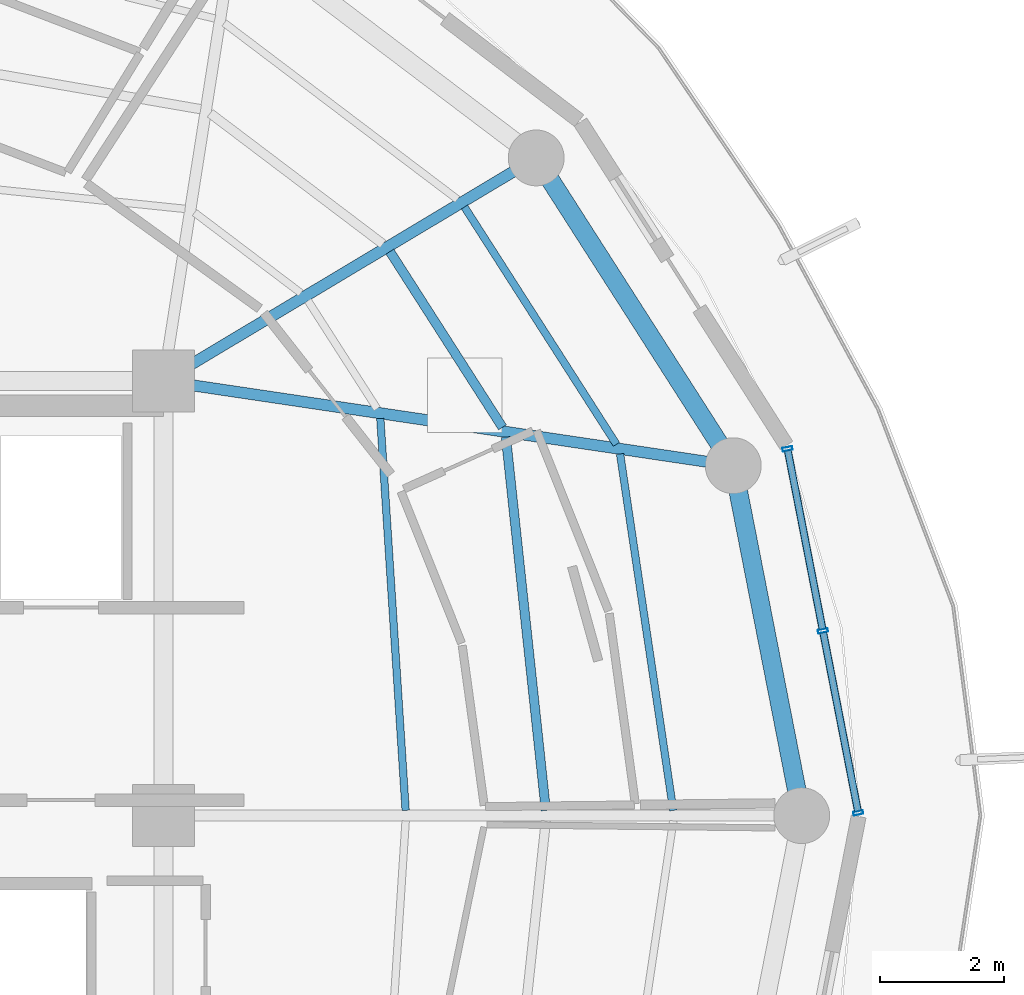
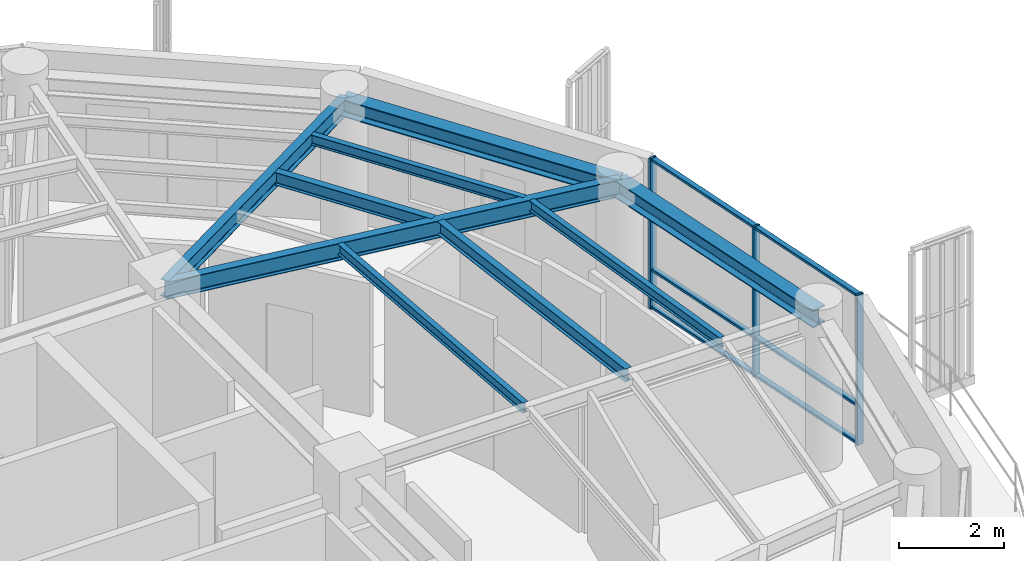
# One storey, part 10 of 22: 9 beams, 9 members, 1 element without a shape of its own.
"""IFC4 building model written with IfcOpenShell, lengths in metres."""

from ifc_helpers import new_model, si_unit, direction, frame, origin, origin_2d, place, context, subcontext, project, spatial, hollow_rectangle, i_section, extrude, material, layer, layer_set, material_profile, profile_set, type_object, element, aggregate, save


model = new_model("IFC4")

# Units and contexts
model_context = context("Model", 3, precision=1e-05, world=origin(), true_north=direction((0.0, 1.0)))
body_context = subcontext(model_context, "Body", "Model", "MODEL_VIEW")
ifc_project = project(units=[si_unit("LENGTHUNIT", "METRE"), si_unit("AREAUNIT", "SQUARE_METRE"), si_unit("VOLUMEUNIT", "CUBIC_METRE"), si_unit("PLANEANGLEUNIT", "RADIAN"), si_unit("MASSUNIT", "GRAM", prefix="KILO")], contexts=[model_context])

# Site, building, storey
site_placement = place(None, origin())
site = spatial("IfcSite", under=ifc_project, at=site_placement, CompositionType="ELEMENT")
building_placement = place(site_placement, origin())
building = spatial("IfcBuilding", under=site, at=building_placement, Name="Kelanora Arch Commons", CompositionType="ELEMENT")
storey_placement = place(building_placement, frame((0.0, 0.0, 271.199951171875)))
storey = spatial("IfcBuildingStorey", under=building, at=storey_placement, Name="L69", CompositionType="ELEMENT", Elevation=271.199951171875)

# Beams
ifc_material_1 = material(Name="Steel S355", Category="steel")
ifc_material_profile_1 = material_profile(ifc_material_1, i_section(OverallWidth=0.14990234375, OverallDepth=0.300048828125, WebThickness=0.007080078125, FlangeThickness=0.0107421875, FilletRadius=0.014892578125, at=origin_2d()), Name="IPE300")
ifc_profile_set_1 = profile_set([ifc_material_profile_1], Name="Steel S355")
beam_type_1 = type_object("IfcBeamType", Name="BM-JST-01", PredefinedType="JOIST", material=ifc_profile_set_1)
beam_1_placement = place(storey_placement, frame((88.158935546875, 58.08447265625, 3.340087890625), z_axis=(-0.106380594087, 0.994325484538, 0.0), x_axis=(-0.994325484538, -0.106380594087, 0.0)))
element("IfcBeam", 1, at=beam_1_placement, inside=storey, type_object=beam_type_1, Name="Secondary Chord Joist BJB-00 L69", PredefinedType="JOIST", context=body_context, shape_type="SweptSolid", body=[
    extrude(i_section(OverallWidth=0.14990234375, OverallDepth=0.300048828125, WebThickness=0.007080078125, FlangeThickness=0.0107421875, FilletRadius=0.014892578125, at=origin_2d()), origin(), (0.0, 0.0, 1.0), 6.04736328125),
])
beam_2_placement = place(storey_placement, frame((87.460693359375, 64.25341796875, 3.340087890625), z_axis=(-0.539321586177, 0.842099891155, 0.0), x_axis=(-0.842099891155, -0.539321586177, 0.0)))
element("IfcBeam", 2, at=beam_2_placement, inside=storey, type_object=beam_type_1, Name="Secondary Chord Joist BJB-02 L69", PredefinedType="JOIST", context=body_context, shape_type="SweptSolid", body=[
    extrude(i_section(OverallWidth=0.14990234375, OverallDepth=0.300048828125, WebThickness=0.007080078125, FlangeThickness=0.0107421875, FilletRadius=0.014892578125, at=origin_2d()), origin(), (0.0, 0.0, 1.0), 3.361572265625),
])
ifc_material_profile_2 = material_profile(ifc_material_1, i_section(OverallWidth=0.1201171875, OverallDepth=0.239990234375, WebThickness=0.006103515625, FlangeThickness=0.009765625, FilletRadius=0.014892578125, at=origin_2d()), Name="IPE240")
ifc_profile_set_2 = profile_set([ifc_material_profile_2], Name="Steel S355")
beam_type_2 = type_object("IfcBeamType", Name="BM-JST-02", PredefinedType="JOIST", material=ifc_profile_set_2)
beam_3_placement = place(storey_placement, frame((85.90087890625, 58.084716796875, 3.3701171875), z_axis=(-0.064495107978, 0.99791802321, 0.0), x_axis=(-0.99791802321, -0.064495107978, 0.0)))
element("IfcBeam", 3, at=beam_3_placement, inside=storey, type_object=beam_type_2, Name="Secondary Chord Joist BJA-00 L69", PredefinedType="JOIST", context=body_context, shape_type="SweptSolid", body=[
    extrude(i_section(OverallWidth=0.1201171875, OverallDepth=0.239990234375, WebThickness=0.006103515625, FlangeThickness=0.009765625, FilletRadius=0.014892578125, at=origin_2d()), origin(), (0.0, 0.0, 1.0), 6.325439453125),
])
beam_4_placement = place(storey_placement, frame((90.21142578125, 58.083984375, 3.3701171875), z_axis=(-0.14762470282, 0.989043450571, 0.0), x_axis=(-0.989043450571, -0.14762470282, 0.0)))
element("IfcBeam", 4, at=beam_4_placement, inside=storey, type_object=beam_type_2, Name="Secondary Chord Joist BJC-00 L69", PredefinedType="JOIST", context=body_context, shape_type="SweptSolid", body=[
    extrude(i_section(OverallWidth=0.1201171875, OverallDepth=0.239990234375, WebThickness=0.006103515625, FlangeThickness=0.009765625, FilletRadius=0.014892578125, at=origin_2d()), origin(), (0.0, 0.0, 1.0), 5.804931640625),
])
beam_5_placement = place(storey_placement, frame((89.296142578125, 63.980712890625, 3.3701171875), z_axis=(-0.539288735289, 0.842120929552, 0.0), x_axis=(-0.842120929552, -0.539288735289, 0.0)))
element("IfcBeam", 5, at=beam_5_placement, inside=storey, type_object=beam_type_2, Name="Secondary Chord Joist BJC-02 L69", PredefinedType="JOIST", context=body_context, shape_type="SweptSolid", body=[
    extrude(i_section(OverallWidth=0.1201171875, OverallDepth=0.239990234375, WebThickness=0.006103515625, FlangeThickness=0.009765625, FilletRadius=0.014892578125, at=origin_2d()), origin(), (0.0, 0.0, 1.0), 4.538818359375),
])
ifc_material_profile_3 = material_profile(ifc_material_1, i_section(OverallWidth=0.179931640625, OverallDepth=0.39990234375, WebThickness=0.008544921875, FlangeThickness=0.013427734375, FilletRadius=0.02099609375, at=origin_2d()), Name="IPE400")
ifc_profile_set_3 = profile_set([ifc_material_profile_3], Name="Steel S355")
beam_type_3 = type_object("IfcBeamType", Name="BM-RAD-Z5", PredefinedType="BEAM", material=ifc_profile_set_3)
beam_6_placement = place(storey_placement, frame((82.0, 65.0, 3.2900390625), z_axis=(0.989142485564, -0.146959665395, 0.0), x_axis=(0.146959665395, 0.989142485564, 0.0)))
element("IfcBeam", 6, at=beam_6_placement, inside=storey, type_object=beam_type_3, Name="Radial Floor Girder BR-02 L69", PredefinedType="BEAM", context=body_context, shape_type="SweptSolid", body=[
    extrude(i_section(OverallWidth=0.179931640625, OverallDepth=0.39990234375, WebThickness=0.008544921875, FlangeThickness=0.013427734375, FilletRadius=0.02099609375, at=origin_2d()), origin(), (0.0, 0.0, 1.0), 9.2783203125),
])
beam_7_placement = place(storey_placement, frame((82.0, 65.0, 3.2900390625), z_axis=(0.858062005744, 0.513546097541, 0.0), x_axis=(-0.513546097541, 0.858062005744, 0.0)))
element("IfcBeam", 7, at=beam_7_placement, inside=storey, type_object=beam_type_3, Name="Radial Floor Girder BR-04 L69", PredefinedType="BEAM", context=body_context, shape_type="SweptSolid", body=[
    extrude(i_section(OverallWidth=0.179931640625, OverallDepth=0.39990234375, WebThickness=0.008544921875, FlangeThickness=0.013427734375, FilletRadius=0.02099609375, at=origin_2d()), origin(), (0.0, 0.0, 1.0), 6.99658203125),
])
ifc_material_profile_4 = material_profile(ifc_material_1, i_section(OverallWidth=0.300048828125, OverallDepth=0.39990234375, WebThickness=0.013427734375, FlangeThickness=0.02392578125, FilletRadius=0.027099609375, at=origin_2d()), Name="HEB400")
ifc_profile_set_4 = profile_set([ifc_material_profile_4], Name="Steel S355")
beam_type_4 = type_object("IfcBeamType", Name="BM-SPN-Z4", PredefinedType="SPANDREL", material=ifc_profile_set_4)
beam_8_placement = place(storey_placement, frame((92.280029296875, 58.0, 3.2900390625), z_axis=(-0.191969774604, 0.981400838413, 0.0), x_axis=(-0.981400838413, -0.191969774604, 0.0)))
element("IfcBeam", 8, at=beam_8_placement, inside=storey, type_object=beam_type_4, Name="Perimeter Spandrel Beam BS-00 L69", PredefinedType="SPANDREL", context=body_context, shape_type="SweptSolid", body=[
    extrude(i_section(OverallWidth=0.300048828125, OverallDepth=0.39990234375, WebThickness=0.013427734375, FlangeThickness=0.02392578125, FilletRadius=0.027099609375, at=origin_2d()), origin(), (0.0, 0.0, 1.0), 5.743408203125),
])
beam_9_placement = place(storey_placement, frame((91.177490234375, 63.636474609375, 3.2900390625), z_axis=(-0.539280851353, 0.842125978322, 0.0), x_axis=(-0.842125978322, -0.539280851353, 0.0)))
element("IfcBeam", 9, at=beam_9_placement, inside=storey, type_object=beam_type_4, Name="Perimeter Spandrel Beam BS-02 L69", PredefinedType="SPANDREL", context=body_context, shape_type="SweptSolid", body=[
    extrude(i_section(OverallWidth=0.300048828125, OverallDepth=0.39990234375, WebThickness=0.013427734375, FlangeThickness=0.02392578125, FilletRadius=0.027099609375, at=origin_2d()), origin(), (0.0, 0.0, 1.0), 5.8857421875),
])

# Curtain wall, members
ifc_material_2 = material(Name="Terracotta ceramic-fritted low-E glass and aluminium", Category="masonry")
ifc_layer = layer(ifc_material_2, 0.18994140625)
ifc_layer_set = layer_set([ifc_layer], Name="Terracotta ceramic-fritted low-E glass and aluminium")
curtain_wall_type = type_object("IfcCurtainWallType", Name="CW-SYS-03", PredefinedType="NOTDEFINED", material=ifc_layer_set)
curtain_wall_placement = place(storey_placement, origin())
curtain_wall = element("IfcCurtainWall", 10, at=curtain_wall_placement, inside=storey, type_object=curtain_wall_type, Name="Unitised Curtain Wall L69-B00", PredefinedType="NOTDEFINED")
ifc_material_3 = material(Name="Powder-coated aluminium terracotta", Category="masonry")
ifc_material_profile_5 = material_profile(ifc_material_3, hollow_rectangle(XDim=0.159912109375, YDim=0.06005859375, WallThickness=0.0048828125, InnerFilletRadius=0.0048828125, OuterFilletRadius=0.010009765625, at=origin_2d()), Name="CWM160x60")
ifc_profile_set_5 = profile_set([ifc_material_profile_5], Name="Powder-coated aluminium terracotta")
member_type_1 = type_object("IfcMemberType", Name="CWM-STD", PredefinedType="MULLION", material=ifc_profile_set_5)
member_1_placement = place(storey_placement, frame((93.19140625, 58.044189453125, 0.0), z_axis=(0.0, 0.0, 1.0), x_axis=(-0.981595542501, -0.190971701941, 0.0)))
member_1 = element("IfcMember", 11, at=member_1_placement, type_object=member_type_1, Name="CW-03 mullion 1", PredefinedType="MULLION", context=body_context, shape_type="SweptSolid", body=[
    extrude(hollow_rectangle(XDim=0.159912109375, YDim=0.06005859375, WallThickness=0.0048828125, InnerFilletRadius=0.0048828125, OuterFilletRadius=0.010009765625, at=origin_2d()), origin(), (0.0, 0.0, 1.0), 3.47509765625),
])
member_2_placement = place(storey_placement, frame((92.62109375, 60.9755859375, 0.0), z_axis=(0.0, 0.0, 1.0), x_axis=(-0.981595542501, -0.190971701941, 0.0)))
member_2 = element("IfcMember", 12, at=member_2_placement, type_object=member_type_1, Name="CW-03 mullion 2", PredefinedType="MULLION", context=body_context, shape_type="SweptSolid", body=[
    extrude(hollow_rectangle(XDim=0.159912109375, YDim=0.06005859375, WallThickness=0.0048828125, InnerFilletRadius=0.0048828125, OuterFilletRadius=0.010009765625, at=origin_2d()), origin(), (0.0, 0.0, 1.0), 3.47509765625),
])
member_3_placement = place(storey_placement, frame((92.05078125, 63.906982421875, 0.0), z_axis=(0.0, 0.0, 1.0), x_axis=(-0.981595542501, -0.190971701941, 0.0)))
member_3 = element("IfcMember", 13, at=member_3_placement, type_object=member_type_1, Name="CW-03 mullion 3", PredefinedType="MULLION", context=body_context, shape_type="SweptSolid", body=[
    extrude(hollow_rectangle(XDim=0.159912109375, YDim=0.06005859375, WallThickness=0.0048828125, InnerFilletRadius=0.0048828125, OuterFilletRadius=0.010009765625, at=origin_2d()), origin(), (0.0, 0.0, 1.0), 3.47509765625),
])
ifc_material_profile_6 = material_profile(ifc_material_3, hollow_rectangle(XDim=0.1201171875, YDim=0.06005859375, WallThickness=0.0048828125, InnerFilletRadius=0.0048828125, OuterFilletRadius=0.010009765625, at=origin_2d()), Name="CWT120x60")
ifc_profile_set_6 = profile_set([ifc_material_profile_6], Name="Powder-coated aluminium terracotta")
member_type_2 = type_object("IfcMemberType", Name="CWT-STD", PredefinedType="USERDEFINED", material=ifc_profile_set_6)
member_4_placement = place(storey_placement, frame((93.185546875, 58.073486328125, 0.030029296875), z_axis=(-0.190963443354, 0.981597149192, 0.0), x_axis=(-0.981597149192, -0.190963443354, 0.0)))
member_4 = element("IfcMember", 14, at=member_4_placement, type_object=member_type_2, Name="CW-03 transom 1.1", ObjectType="TRANSOM", PredefinedType="USERDEFINED", context=body_context, shape_type="SweptSolid", body=[
    extrude(hollow_rectangle(XDim=0.1201171875, YDim=0.06005859375, WallThickness=0.0048828125, InnerFilletRadius=0.0048828125, OuterFilletRadius=0.010009765625, at=origin_2d()), origin(), (0.0, 0.0, 1.0), 2.926513671875),
])
member_5_placement = place(storey_placement, frame((93.185546875, 58.073486328125, 0.900146484375), z_axis=(-0.190963443354, 0.981597149192, 0.0), x_axis=(-0.981597149192, -0.190963443354, 0.0)))
member_5 = element("IfcMember", 15, at=member_5_placement, type_object=member_type_2, Name="CW-03 transom 1.2", ObjectType="TRANSOM", PredefinedType="USERDEFINED", context=body_context, shape_type="SweptSolid", body=[
    extrude(hollow_rectangle(XDim=0.1201171875, YDim=0.06005859375, WallThickness=0.0048828125, InnerFilletRadius=0.0048828125, OuterFilletRadius=0.010009765625, at=origin_2d()), origin(), (0.0, 0.0, 1.0), 2.926513671875),
])
member_6_placement = place(storey_placement, frame((93.185546875, 58.073486328125, 3.445068359375), z_axis=(-0.190963443354, 0.981597149192, 0.0), x_axis=(-0.981597149192, -0.190963443354, 0.0)))
member_6 = element("IfcMember", 16, at=member_6_placement, type_object=member_type_2, Name="CW-03 transom 1.3", ObjectType="TRANSOM", PredefinedType="USERDEFINED", context=body_context, shape_type="SweptSolid", body=[
    extrude(hollow_rectangle(XDim=0.1201171875, YDim=0.06005859375, WallThickness=0.0048828125, InnerFilletRadius=0.0048828125, OuterFilletRadius=0.010009765625, at=origin_2d()), origin(), (0.0, 0.0, 1.0), 2.926513671875),
])
member_7_placement = place(storey_placement, frame((92.615234375, 61.005126953125, 0.030029296875), z_axis=(-0.190963443354, 0.981597149192, 0.0), x_axis=(-0.981597149192, -0.190963443354, 0.0)))
member_7 = element("IfcMember", 17, at=member_7_placement, type_object=member_type_2, Name="CW-03 transom 2.1", ObjectType="TRANSOM", PredefinedType="USERDEFINED", context=body_context, shape_type="SweptSolid", body=[
    extrude(hollow_rectangle(XDim=0.1201171875, YDim=0.06005859375, WallThickness=0.0048828125, InnerFilletRadius=0.0048828125, OuterFilletRadius=0.010009765625, at=origin_2d()), origin(), (0.0, 0.0, 1.0), 2.926513671875),
])
member_8_placement = place(storey_placement, frame((92.615234375, 61.005126953125, 0.900146484375), z_axis=(-0.190963443354, 0.981597149192, 0.0), x_axis=(-0.981597149192, -0.190963443354, 0.0)))
member_8 = element("IfcMember", 18, at=member_8_placement, type_object=member_type_2, Name="CW-03 transom 2.2", ObjectType="TRANSOM", PredefinedType="USERDEFINED", context=body_context, shape_type="SweptSolid", body=[
    extrude(hollow_rectangle(XDim=0.1201171875, YDim=0.06005859375, WallThickness=0.0048828125, InnerFilletRadius=0.0048828125, OuterFilletRadius=0.010009765625, at=origin_2d()), origin(), (0.0, 0.0, 1.0), 2.926513671875),
])
member_9_placement = place(storey_placement, frame((92.615234375, 61.005126953125, 3.445068359375), z_axis=(-0.190963443354, 0.981597149192, 0.0), x_axis=(-0.981597149192, -0.190963443354, 0.0)))
member_9 = element("IfcMember", 19, at=member_9_placement, type_object=member_type_2, Name="CW-03 transom 2.3", ObjectType="TRANSOM", PredefinedType="USERDEFINED", context=body_context, shape_type="SweptSolid", body=[
    extrude(hollow_rectangle(XDim=0.1201171875, YDim=0.06005859375, WallThickness=0.0048828125, InnerFilletRadius=0.0048828125, OuterFilletRadius=0.010009765625, at=origin_2d()), origin(), (0.0, 0.0, 1.0), 2.926513671875),
])
aggregate(curtain_wall, [member_1, member_2, member_3, member_4, member_5, member_6, member_7, member_8, member_9])

save(model, "model.ifc")
